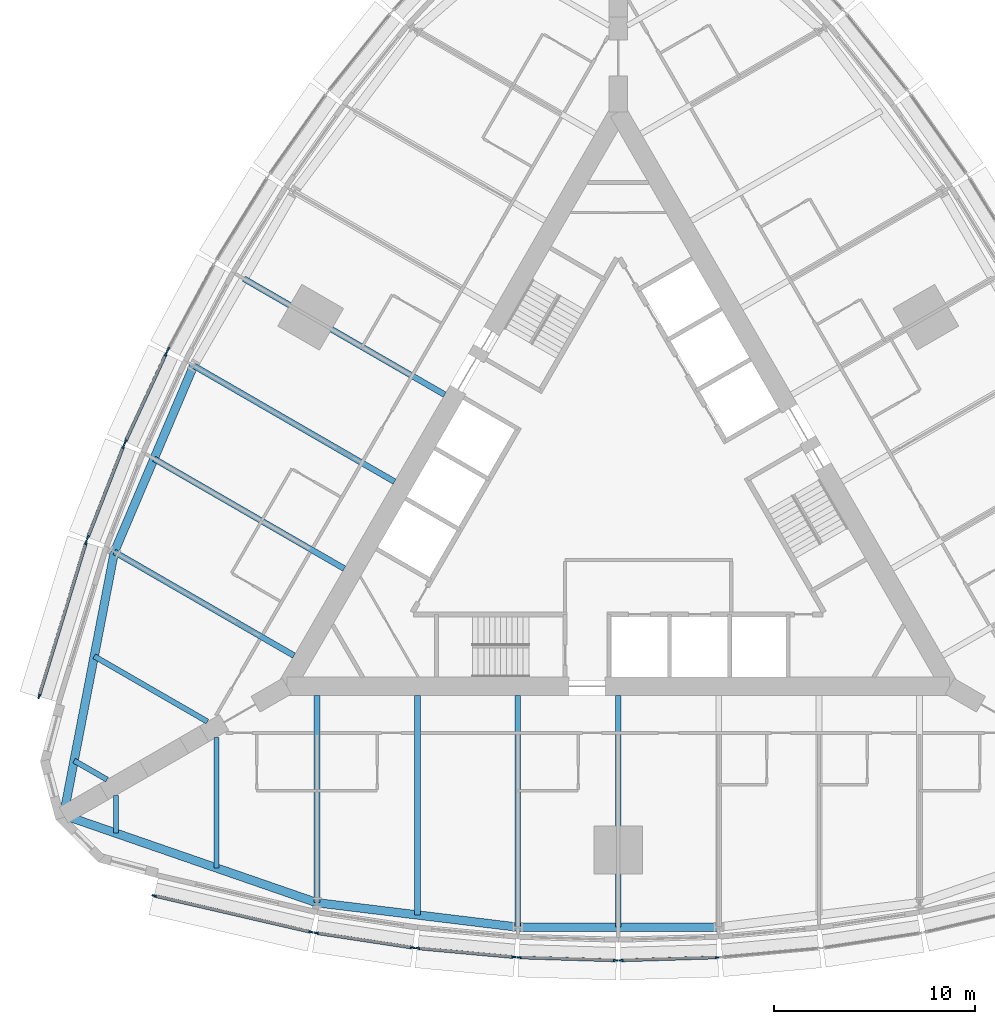
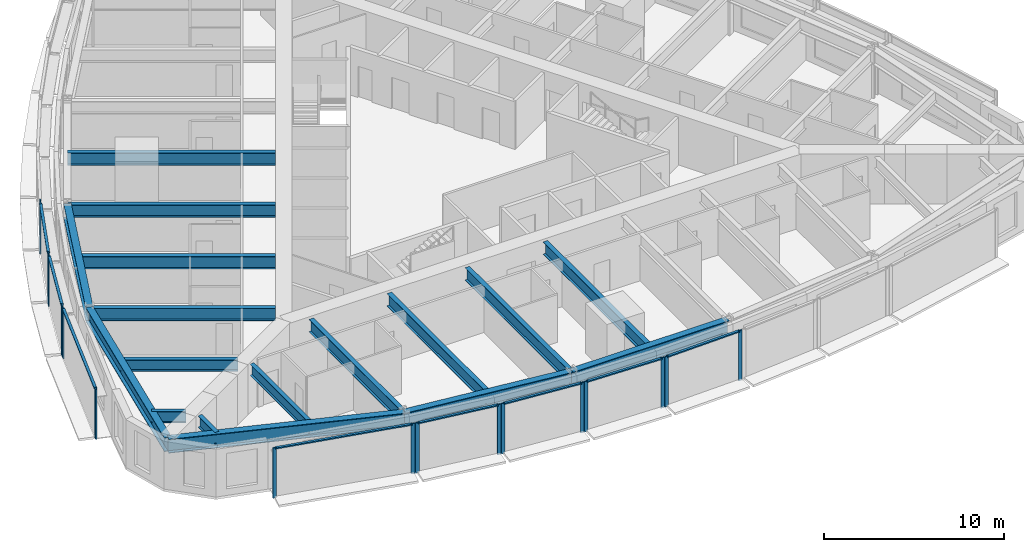
# One storey, part 2 of 14: 25 members, 17 beams, 9 elements without a shape of their own.
"""IFC4 building model written with IfcOpenShell, lengths in metres."""

from ifc_helpers import new_model, si_unit, direction, frame, origin, origin_2d, place, context, subcontext, project, spatial, rectangle, i_section, extrude, material, material_profile, profile_set, type_object, element, aggregate, save


model = new_model("IFC4")

# Units and contexts
model_context = context("Model", 3, precision=1e-05, world=origin(), true_north=direction((0.0, 1.0)))
body_context = subcontext(model_context, "Body", "Model", "MODEL_VIEW")
ifc_project = project(units=[si_unit("LENGTHUNIT", "METRE"), si_unit("AREAUNIT", "SQUARE_METRE"), si_unit("VOLUMEUNIT", "CUBIC_METRE"), si_unit("PLANEANGLEUNIT", "RADIAN"), si_unit("MASSUNIT", "GRAM", prefix="KILO")], contexts=[model_context])

# Site, building, storey
site_placement = place(None, origin())
site = spatial("IfcSite", under=ifc_project, at=site_placement, CompositionType="ELEMENT")
building_placement = place(site_placement, origin())
building = spatial("IfcBuilding", under=site, at=building_placement, Name="Trikona Tower", CompositionType="ELEMENT")
storey_placement = place(building_placement, frame((0.0, 0.0, 82.89990234375)))
storey = spatial("IfcBuildingStorey", under=building, at=storey_placement, Name="L21", CompositionType="ELEMENT", Elevation=82.89990234375)

# Curtain wall, members
ifc_material_1 = material(Name="Aluminium curtain wall system", Category="aluminium")
curtain_wall_type = type_object("IfcCurtainWallType", Name="Curtain wall DS1", PredefinedType="NOTDEFINED", material=ifc_material_1)
curtain_wall_1_placement = place(storey_placement, origin())
curtain_wall_1 = element("IfcCurtainWall", 1, at=curtain_wall_1_placement, inside=storey, type_object=curtain_wall_type, Name="Curtain wall DS1 L21", PredefinedType="NOTDEFINED")
ifc_material_2 = material(Name="Aluminium mullion, pale anodised", Category="aluminium")
ifc_material_profile_1 = material_profile(ifc_material_2, rectangle(XDim=0.080078125, YDim=0.219970703125, at=origin_2d()), Name="MUL-DS1")
ifc_profile_set_1 = profile_set([ifc_material_profile_1], Name="Aluminium mullion, pale anodised")
member_type_1 = type_object("IfcMemberType", Name="Mullion DS1 80x220", PredefinedType="MULLION", material=ifc_profile_set_1)
member_1_placement = place(storey_placement, frame((-23.10546875, -19.951904296875, 0.0), z_axis=(0.0, 0.0, 1.0), x_axis=(0.225343288756, 0.974279427173, 0.0)))
member_1 = element("IfcMember", 2, at=member_1_placement, type_object=member_type_1, Name="CW-DS1 mullion 1", PredefinedType="MULLION", context=body_context, shape_type="SweptSolid", body=[
    extrude(rectangle(XDim=0.080078125, YDim=0.219970703125, at=origin_2d()), origin(), (0.0, 0.0, 1.0), 3.400146484375),
])
member_2_placement = place(storey_placement, frame((-15.30029296875, -21.75732421875, 0.0), z_axis=(0.0, 0.0, 1.0), x_axis=(0.225343288756, 0.974279427173, 0.0)))
member_2 = element("IfcMember", 3, at=member_2_placement, type_object=member_type_1, Name="CW-DS1 mullion 2", PredefinedType="MULLION", context=body_context, shape_type="SweptSolid", body=[
    extrude(rectangle(XDim=0.080078125, YDim=0.219970703125, at=origin_2d()), origin(), (0.0, 0.0, 1.0), 3.400146484375),
])

curtain_wall_2_placement = place(storey_placement, origin())
curtain_wall_2 = element("IfcCurtainWall", 4, at=curtain_wall_2_placement, inside=storey, type_object=curtain_wall_type, Name="Curtain wall DS1 L21", PredefinedType="NOTDEFINED")
member_3_placement = place(storey_placement, frame((-15.03662109375, -21.807861328125, 0.0), z_axis=(0.0, 0.0, 1.0), x_axis=(0.150437693845, 0.988619492156, 0.0)))
member_3 = element("IfcMember", 5, at=member_3_placement, type_object=member_type_1, Name="CW-DS1 mullion 1", PredefinedType="MULLION", context=body_context, shape_type="SweptSolid", body=[
    extrude(rectangle(XDim=0.080078125, YDim=0.219970703125, at=origin_2d()), origin(), (0.0, 0.0, 1.0), 3.400146484375),
])
member_4_placement = place(storey_placement, frame((-10.234130859375, -22.53857421875, 0.0), z_axis=(0.0, 0.0, 1.0), x_axis=(0.150437693845, 0.988619492156, 0.0)))
member_4 = element("IfcMember", 6, at=member_4_placement, type_object=member_type_1, Name="CW-DS1 mullion 2", PredefinedType="MULLION", context=body_context, shape_type="SweptSolid", body=[
    extrude(rectangle(XDim=0.080078125, YDim=0.219970703125, at=origin_2d()), origin(), (0.0, 0.0, 1.0), 3.400146484375),
])

curtain_wall_3_placement = place(storey_placement, origin())
curtain_wall_3 = element("IfcCurtainWall", 7, at=curtain_wall_3_placement, inside=storey, type_object=curtain_wall_type, Name="Curtain wall DS1 L21", PredefinedType="NOTDEFINED")
member_5_placement = place(storey_placement, frame((-9.982177734375, -22.5693359375, 0.0), z_axis=(0.0, 0.0, 1.0), x_axis=(0.090923932737, 0.995857840485, 0.0)))
member_5 = element("IfcMember", 8, at=member_5_placement, type_object=member_type_1, Name="CW-DS1 mullion 1", PredefinedType="MULLION", context=body_context, shape_type="SweptSolid", body=[
    extrude(rectangle(XDim=0.080078125, YDim=0.219970703125, at=origin_2d()), origin(), (0.0, 0.0, 1.0), 3.400146484375),
])
member_6_placement = place(storey_placement, frame((-5.181396484375, -23.007568359375, 0.0), z_axis=(0.0, 0.0, 1.0), x_axis=(0.090923932737, 0.995857840485, 0.0)))
member_6 = element("IfcMember", 9, at=member_6_placement, type_object=member_type_1, Name="CW-DS1 mullion 2", PredefinedType="MULLION", context=body_context, shape_type="SweptSolid", body=[
    extrude(rectangle(XDim=0.080078125, YDim=0.219970703125, at=origin_2d()), origin(), (0.0, 0.0, 1.0), 3.400146484375),
])

curtain_wall_4_placement = place(storey_placement, origin())
curtain_wall_4 = element("IfcCurtainWall", 10, at=curtain_wall_4_placement, inside=storey, type_object=curtain_wall_type, Name="Curtain wall DS1 L21", PredefinedType="NOTDEFINED")
member_7_placement = place(storey_placement, frame((-4.927490234375, -23.02294921875, 0.0), z_axis=(0.0, 0.0, 1.0), x_axis=(0.030436711692, 0.999536695965, 0.0)))
member_7 = element("IfcMember", 11, at=member_7_placement, type_object=member_type_1, Name="CW-DS1 mullion 1", PredefinedType="MULLION", context=body_context, shape_type="SweptSolid", body=[
    extrude(rectangle(XDim=0.080078125, YDim=0.219970703125, at=origin_2d()), origin(), (0.0, 0.0, 1.0), 3.400146484375),
])
member_8_placement = place(storey_placement, frame((-0.12744140625, -23.169189453125, 0.0), z_axis=(0.0, 0.0, 1.0), x_axis=(0.030436711692, 0.999536695965, 0.0)))
member_8 = element("IfcMember", 12, at=member_8_placement, type_object=member_type_1, Name="CW-DS1 mullion 2", PredefinedType="MULLION", context=body_context, shape_type="SweptSolid", body=[
    extrude(rectangle(XDim=0.080078125, YDim=0.219970703125, at=origin_2d()), origin(), (0.0, 0.0, 1.0), 3.400146484375),
])

curtain_wall_5_placement = place(storey_placement, origin())
curtain_wall_5 = element("IfcCurtainWall", 13, at=curtain_wall_5_placement, inside=storey, type_object=curtain_wall_type, Name="Curtain wall DS1 L21", PredefinedType="NOTDEFINED")
member_9_placement = place(storey_placement, frame((0.12744140625, -23.169189453125, 0.0), z_axis=(0.0, 0.0, 1.0), x_axis=(-0.030436711692, 0.999536695965, 0.0)))
member_9 = element("IfcMember", 14, at=member_9_placement, type_object=member_type_1, Name="CW-DS1 mullion 1", PredefinedType="MULLION", context=body_context, shape_type="SweptSolid", body=[
    extrude(rectangle(XDim=0.080078125, YDim=0.219970703125, at=origin_2d()), origin(), (0.0, 0.0, 1.0), 3.400146484375),
])
member_10_placement = place(storey_placement, frame((4.927490234375, -23.02294921875, 0.0), z_axis=(0.0, 0.0, 1.0), x_axis=(-0.030436711692, 0.999536695965, 0.0)))
member_10 = element("IfcMember", 15, at=member_10_placement, type_object=member_type_1, Name="CW-DS1 mullion 2", PredefinedType="MULLION", context=body_context, shape_type="SweptSolid", body=[
    extrude(rectangle(XDim=0.080078125, YDim=0.219970703125, at=origin_2d()), origin(), (0.0, 0.0, 1.0), 3.400146484375),
])

# Curtain wall, member
curtain_wall_6_placement = place(storey_placement, origin())
curtain_wall_6 = element("IfcCurtainWall", 16, at=curtain_wall_6_placement, inside=storey, type_object=curtain_wall_type, Name="Curtain wall DS1 L21", PredefinedType="NOTDEFINED")
member_11_placement = place(storey_placement, frame((-22.402099609375, 7.244140625, 0.0), z_axis=(0.0, 0.0, 1.0), x_axis=(0.880843080975, -0.473408350896, 0.0)))
member_11 = element("IfcMember", 17, at=member_11_placement, type_object=member_type_1, Name="CW-DS1 mullion 2", PredefinedType="MULLION", context=body_context, shape_type="SweptSolid", body=[
    extrude(rectangle(XDim=0.080078125, YDim=0.219970703125, at=origin_2d()), origin(), (0.0, 0.0, 1.0), 3.400146484375),
])
aggregate(curtain_wall_6, [member_11])

# Curtain wall, members
curtain_wall_7_placement = place(storey_placement, origin())
curtain_wall_7 = element("IfcCurtainWall", 18, at=curtain_wall_7_placement, inside=storey, type_object=curtain_wall_type, Name="Curtain wall DS1 L21", PredefinedType="NOTDEFINED")
member_12_placement = place(storey_placement, frame((-22.515869140625, 7.0166015625, 0.0), z_axis=(0.0, 0.0, 1.0), x_axis=(0.907898459992, -0.419190155352, 0.0)))
member_12 = element("IfcMember", 19, at=member_12_placement, type_object=member_type_1, Name="CW-DS1 mullion 1", PredefinedType="MULLION", context=body_context, shape_type="SweptSolid", body=[
    extrude(rectangle(XDim=0.080078125, YDim=0.219970703125, at=origin_2d()), origin(), (0.0, 0.0, 1.0), 3.400146484375),
])
member_13_placement = place(storey_placement, frame((-24.53662109375, 2.6396484375, 0.0), z_axis=(0.0, 0.0, 1.0), x_axis=(0.907898459992, -0.419190155352, 0.0)))
member_13 = element("IfcMember", 20, at=member_13_placement, type_object=member_type_1, Name="CW-DS1 mullion 2", PredefinedType="MULLION", context=body_context, shape_type="SweptSolid", body=[
    extrude(rectangle(XDim=0.080078125, YDim=0.219970703125, at=origin_2d()), origin(), (0.0, 0.0, 1.0), 3.400146484375),
])

curtain_wall_8_placement = place(storey_placement, origin())
curtain_wall_8 = element("IfcCurtainWall", 21, at=curtain_wall_8_placement, inside=storey, type_object=curtain_wall_type, Name="Curtain wall DS1 L21", PredefinedType="NOTDEFINED")
member_14_placement = place(storey_placement, frame((-24.63623046875, 2.40625, 0.0), z_axis=(0.0, 0.0, 1.0), x_axis=(0.931395989443, -0.36400756977, 0.0)))
member_14 = element("IfcMember", 22, at=member_14_placement, type_object=member_type_1, Name="CW-DS1 mullion 1", PredefinedType="MULLION", context=body_context, shape_type="SweptSolid", body=[
    extrude(rectangle(XDim=0.080078125, YDim=0.219970703125, at=origin_2d()), origin(), (0.0, 0.0, 1.0), 3.400146484375),
])
member_15_placement = place(storey_placement, frame((-26.404296875, -2.1181640625, 0.0), z_axis=(0.0, 0.0, 1.0), x_axis=(0.931395989443, -0.36400756977, 0.0)))
member_15 = element("IfcMember", 23, at=member_15_placement, type_object=member_type_1, Name="CW-DS1 mullion 2", PredefinedType="MULLION", context=body_context, shape_type="SweptSolid", body=[
    extrude(rectangle(XDim=0.080078125, YDim=0.219970703125, at=origin_2d()), origin(), (0.0, 0.0, 1.0), 3.400146484375),
])

curtain_wall_9_placement = place(storey_placement, origin())
curtain_wall_9 = element("IfcCurtainWall", 24, at=curtain_wall_9_placement, inside=storey, type_object=curtain_wall_type, Name="Curtain wall DS1 L21", PredefinedType="NOTDEFINED")
member_16_placement = place(storey_placement, frame((-26.492431640625, -2.371826171875, 0.0), z_axis=(0.0, 0.0, 1.0), x_axis=(0.956423115383, -0.291984287868, 0.0)))
member_16 = element("IfcMember", 25, at=member_16_placement, type_object=member_type_1, Name="CW-DS1 mullion 1", PredefinedType="MULLION", context=body_context, shape_type="SweptSolid", body=[
    extrude(rectangle(XDim=0.080078125, YDim=0.219970703125, at=origin_2d()), origin(), (0.0, 0.0, 1.0), 3.400146484375),
])
member_17_placement = place(storey_placement, frame((-28.83154296875, -10.033935546875, 0.0), z_axis=(0.0, 0.0, 1.0), x_axis=(0.956423115383, -0.291984287868, 0.0)))
member_17 = element("IfcMember", 26, at=member_17_placement, type_object=member_type_1, Name="CW-DS1 mullion 2", PredefinedType="MULLION", context=body_context, shape_type="SweptSolid", body=[
    extrude(rectangle(XDim=0.080078125, YDim=0.219970703125, at=origin_2d()), origin(), (0.0, 0.0, 1.0), 3.400146484375),
])

# Beams
ifc_material_3 = material(Name="Steel ASTM A992 Grade 50", Category="steel")
ifc_material_profile_2 = material_profile(ifc_material_3, i_section(OverallWidth=0.2666015625, OverallDepth=0.76953125, WebThickness=0.015625, FlangeThickness=0.025390625, at=origin_2d()), Name="W30X132")
ifc_profile_set_2 = profile_set([ifc_material_profile_2], Name="Steel ASTM A992 Grade 50")
beam_type_1 = type_object("IfcBeamType", Name="Steel beam W30x132 (wedge)", PredefinedType="BEAM", material=ifc_profile_set_2)
beam_1_placement = place(storey_placement, frame((-25.0, -14.953369140625, 2.850341796875), z_axis=(0.0, -1.0, 0.0), x_axis=(1.0, 0.0, 0.0)))
element("IfcBeam", 27, at=beam_1_placement, inside=storey, type_object=beam_type_1, Name="Floor beam L22 F1 u-25", PredefinedType="BEAM", context=body_context, shape_type="SweptSolid", body=[
    extrude(i_section(OverallWidth=0.2666015625, OverallDepth=0.76953125, WebThickness=0.015625, FlangeThickness=0.025390625, at=origin_2d()), origin(), (0.0, 0.0, 1.0), 1.890380859375),
])
for number, where, z_axis, x_axis, name in (
    (28, (-20.0, -12.066650390625, 2.850341796875), (0.0, -1.0, 0.0), (1.0, 0.0, 0.0), "Floor beam L22 F1 u-20"),
    (29, (-20.449951171875, -11.287109375, 2.850341796875), (-0.866022504693, 0.50000502134, 0.0), (-0.50000502134, -0.866022504693, 0.0), "Floor beam L22 F3 u20"),
):
    element("IfcBeam", number, at=place(storey_placement, frame(where, z_axis=z_axis, x_axis=x_axis)), inside=storey, type_object=beam_type_1, Name=name, PredefinedType="BEAM", context=body_context, shape_type="SweptSolid", body=[
        extrude(i_section(OverallWidth=0.2666015625, OverallDepth=0.76953125, WebThickness=0.015625, FlangeThickness=0.025390625, at=origin_2d()), origin(), (0.0, 0.0, 1.0), 6.5068359375),
    ])
beam_2_placement = place(storey_placement, frame((-25.449951171875, -14.173828125, 2.850341796875), z_axis=(-0.866065156741, 0.499931139538, 0.0), x_axis=(-0.499931139538, -0.866065156741, 0.0)))
element("IfcBeam", 30, at=beam_2_placement, inside=storey, type_object=beam_type_1, Name="Floor beam L22 F3 u25", PredefinedType="BEAM", context=body_context, shape_type="SweptSolid", body=[
    extrude(i_section(OverallWidth=0.2666015625, OverallDepth=0.76953125, WebThickness=0.015625, FlangeThickness=0.025390625, at=origin_2d()), origin(), (0.0, 0.0, 1.0), 1.890380859375),
])
ifc_material_4 = material(Name="Steel ASTM A992 Grade 50", Category="steel")
ifc_material_profile_3 = material_profile(ifc_material_4, i_section(OverallWidth=0.2919921875, OverallDepth=0.845703125, WebThickness=0.015380859375, FlangeThickness=0.0244140625, at=origin_2d()), Name="W33X141")
ifc_profile_set_3 = profile_set([ifc_material_profile_3], Name="Steel ASTM A992 Grade 50")
beam_type_2 = type_object("IfcBeamType", Name="Steel beam W33x141 (radial typ)", PredefinedType="BEAM", material=ifc_profile_set_3)
beam_3_placement = place(storey_placement, frame((-15.0, -9.976318359375, 2.812255859375), z_axis=(0.0, -1.0, 0.0), x_axis=(1.0, 0.0, 0.0)))
element("IfcBeam", 31, at=beam_3_placement, inside=storey, type_object=beam_type_2, Name="Floor beam L22 F1 u-15", PredefinedType="BEAM", context=body_context, shape_type="SweptSolid", body=[
    extrude(i_section(OverallWidth=0.2919921875, OverallDepth=0.845703125, WebThickness=0.015380859375, FlangeThickness=0.0244140625, at=origin_2d()), origin(), (0.0, 0.0, 1.0), 10.32666015625),
])
beam_4_placement = place(storey_placement, frame((-10.0, -9.976318359375, 2.812255859375), z_axis=(0.0, -1.0, 0.0), x_axis=(1.0, 0.0, 0.0)))
element("IfcBeam", 32, at=beam_4_placement, inside=storey, type_object=beam_type_2, Name="Floor beam L22 F1 u-10", PredefinedType="BEAM", context=body_context, shape_type="SweptSolid", body=[
    extrude(i_section(OverallWidth=0.2919921875, OverallDepth=0.845703125, WebThickness=0.015380859375, FlangeThickness=0.0244140625, at=origin_2d()), origin(), (0.0, 0.0, 1.0), 10.935302734375),
])
for number, where, z_axis, x_axis, name in (
    (33, (-5.0, -9.976318359375, 2.812255859375), (0.0, -1.0, 0.0), (1.0, 0.0, 0.0), "Floor beam L22 F1 u-5"),
    (34, (0.0, -9.976318359375, 2.812255859375), (0.0, -1.0, 0.0), (1.0, 0.0, 0.0), "Floor beam L22 F1 u0"),
    (35, (-8.6396484375, 4.988037109375, 2.812255859375), (-0.866020765707, 0.500008033299, 0.0), (-0.500008033299, -0.866020765707, 0.0), "Floor beam L22 F3 u0"),
    (36, (-11.1396484375, 0.657958984375, 2.812255859375), (-0.866020765707, 0.500008033299, 0.0), (-0.500008033299, -0.866020765707, 0.0), "Floor beam L22 F3 u5"),
):
    element("IfcBeam", number, at=place(storey_placement, frame(where, z_axis=z_axis, x_axis=x_axis)), inside=storey, type_object=beam_type_2, Name=name, PredefinedType="BEAM", context=body_context, shape_type="SweptSolid", body=[
        extrude(i_section(OverallWidth=0.2919921875, OverallDepth=0.845703125, WebThickness=0.015380859375, FlangeThickness=0.0244140625, at=origin_2d()), origin(), (0.0, 0.0, 1.0), 11.544189453125),
    ])
beam_5_placement = place(storey_placement, frame((-13.6396484375, -3.672119140625, 2.812255859375), z_axis=(-0.866025348605, 0.500000095573, 0.0), x_axis=(-0.500000095573, -0.866025348605, 0.0)))
element("IfcBeam", 37, at=beam_5_placement, inside=storey, type_object=beam_type_2, Name="Floor beam L22 F3 u10", PredefinedType="BEAM", context=body_context, shape_type="SweptSolid", body=[
    extrude(i_section(OverallWidth=0.2919921875, OverallDepth=0.845703125, WebThickness=0.015380859375, FlangeThickness=0.0244140625, at=origin_2d()), origin(), (0.0, 0.0, 1.0), 10.935546875),
])
beam_6_placement = place(storey_placement, frame((-16.1396484375, -8.002197265625, 2.812255859375), z_axis=(-0.866030471684, 0.499991222037, 0.0), x_axis=(-0.499991222037, -0.866030471684, 0.0)))
element("IfcBeam", 38, at=beam_6_placement, inside=storey, type_object=beam_type_2, Name="Floor beam L22 F3 u15", PredefinedType="BEAM", context=body_context, shape_type="SweptSolid", body=[
    extrude(i_section(OverallWidth=0.2919921875, OverallDepth=0.845703125, WebThickness=0.015380859375, FlangeThickness=0.0244140625, at=origin_2d()), origin(), (0.0, 0.0, 1.0), 10.326904296875),
])
ifc_material_5 = material(Name="Steel ASTM A992 Grade 50", Category="steel")
ifc_material_profile_4 = material_profile(ifc_material_5, i_section(OverallWidth=0.424072265625, OverallDepth=0.947509765625, WebThickness=0.02392578125, FlangeThickness=0.042724609375, at=origin_2d()), Name="W36X302")
ifc_profile_set_4 = profile_set([ifc_material_profile_4], Name="Steel ASTM A992 Grade 50")
beam_type_3 = type_object("IfcBeamType", Name="Steel beam W36x302 (spandrel)", PredefinedType="SPANDREL", material=ifc_profile_set_4)
beam_7_placement = place(storey_placement, frame((-27.6103515625, -15.94091796875, 2.761474609375), z_axis=(0.945056965739, -0.326905692071, 0.0), x_axis=(0.326905692071, 0.945056965739, 0.0)))
element("IfcBeam", 39, at=beam_7_placement, inside=storey, type_object=beam_type_3, Name="Spandrel beam L22 F1-1", PredefinedType="SPANDREL", context=body_context, shape_type="SweptSolid", body=[
    extrude(i_section(OverallWidth=0.424072265625, OverallDepth=0.947509765625, WebThickness=0.02392578125, FlangeThickness=0.042724609375, at=origin_2d()), origin(), (0.0, 0.0, 1.0), 13.343505859375),
])
beam_8_placement = place(storey_placement, frame((-15.0, -20.302978515625, 2.761474609375), z_axis=(0.99266951126, -0.120860421207, 0.0), x_axis=(0.120860421207, 0.99266951126, 0.0)))
element("IfcBeam", 40, at=beam_8_placement, inside=storey, type_object=beam_type_3, Name="Spandrel beam L22 F1-2", PredefinedType="SPANDREL", context=body_context, shape_type="SweptSolid", body=[
    extrude(i_section(OverallWidth=0.424072265625, OverallDepth=0.947509765625, WebThickness=0.02392578125, FlangeThickness=0.042724609375, at=origin_2d()), origin(), (0.0, 0.0, 1.0), 10.07373046875),
])
beam_9_placement = place(storey_placement, frame((-5.0, -21.5205078125, 2.761474609375), z_axis=(1.0, 0.0, 0.0), x_axis=(0.0, 1.0, 0.0)))
element("IfcBeam", 41, at=beam_9_placement, inside=storey, type_object=beam_type_3, Name="Spandrel beam L22 F1-3", PredefinedType="SPANDREL", context=body_context, shape_type="SweptSolid", body=[
    extrude(i_section(OverallWidth=0.424072265625, OverallDepth=0.947509765625, WebThickness=0.02392578125, FlangeThickness=0.042724609375, at=origin_2d()), origin(), (0.0, 0.0, 1.0), 10.0),
])
beam_10_placement = place(storey_placement, frame((-21.13720703125, 6.43017578125, 2.761474609375), z_axis=(-0.391683514847, -0.920100007715, 0.0), x_axis=(0.920100007715, -0.391683514847, 0.0)))
element("IfcBeam", 42, at=beam_10_placement, inside=storey, type_object=beam_type_3, Name="Spandrel beam L22 F3-4", PredefinedType="SPANDREL", context=body_context, shape_type="SweptSolid", body=[
    extrude(i_section(OverallWidth=0.424072265625, OverallDepth=0.947509765625, WebThickness=0.02392578125, FlangeThickness=0.042724609375, at=origin_2d()), origin(), (0.0, 0.0, 1.0), 10.073974609375),
])
beam_11_placement = place(storey_placement, frame((-25.0830078125, -2.8388671875, 2.761474609375), z_axis=(-0.189405184036, -0.981899015307, 0.0), x_axis=(0.981899015307, -0.189405184036, 0.0)))
element("IfcBeam", 43, at=beam_11_placement, inside=storey, type_object=beam_type_3, Name="Spandrel beam L22 F3-5", PredefinedType="SPANDREL", context=body_context, shape_type="SweptSolid", body=[
    extrude(i_section(OverallWidth=0.424072265625, OverallDepth=0.947509765625, WebThickness=0.02392578125, FlangeThickness=0.042724609375, at=origin_2d()), origin(), (0.0, 0.0, 1.0), 13.343505859375),
])

# Member
ifc_material_6 = material(Name="Aluminium transom, pale anodised", Category="aluminium")
ifc_material_profile_5 = material_profile(ifc_material_6, rectangle(XDim=0.159912109375, YDim=0.080078125, at=origin_2d()), Name="TRN-DS1")
ifc_profile_set_5 = profile_set([ifc_material_profile_5], Name="Aluminium transom, pale anodised")
member_type_2 = type_object("IfcMemberType", Name="Transom DS1 80x160", PredefinedType="USERDEFINED", material=ifc_profile_set_5)
member_18_placement = place(storey_placement, frame((-23.06640625, -19.9609375, 3.360107421875), z_axis=(0.974275371842, -0.225360821398, 0.0), x_axis=(0.225360821398, 0.974275371842, 0.0)))
member_18 = element("IfcMember", 44, at=member_18_placement, type_object=member_type_2, Name="CW-DS1 transom 1.1", ObjectType="TRANSOM", PredefinedType="USERDEFINED", context=body_context, shape_type="SweptSolid", body=[
    extrude(rectangle(XDim=0.159912109375, YDim=0.080078125, at=origin_2d()), origin(), (0.0, 0.0, 1.0), 7.93115234375),
])

aggregate(curtain_wall_1, [member_1, member_2, member_18])

member_19_placement = place(storey_placement, frame((-14.9970703125, -21.813720703125, 3.360107421875), z_axis=(0.988619663412, -0.150436568413, 0.0), x_axis=(0.150436568413, 0.988619663412, 0.0)))
member_19 = element("IfcMember", 45, at=member_19_placement, type_object=member_type_2, Name="CW-DS1 transom 1.1", ObjectType="TRANSOM", PredefinedType="USERDEFINED", context=body_context, shape_type="SweptSolid", body=[
    extrude(rectangle(XDim=0.159912109375, YDim=0.080078125, at=origin_2d()), origin(), (0.0, 0.0, 1.0), 4.77783203125),
])

aggregate(curtain_wall_2, [member_3, member_4, member_19])

member_20_placement = place(storey_placement, frame((-9.9423828125, -22.57275390625, 3.360107421875), z_axis=(0.995855977008, -0.090944340438, 0.0), x_axis=(0.090944340438, 0.995855977008, 0.0)))
member_20 = element("IfcMember", 46, at=member_20_placement, type_object=member_type_2, Name="CW-DS1 transom 1.1", ObjectType="TRANSOM", PredefinedType="USERDEFINED", context=body_context, shape_type="SweptSolid", body=[
    extrude(rectangle(XDim=0.159912109375, YDim=0.080078125, at=origin_2d()), origin(), (0.0, 0.0, 1.0), 4.74072265625),
])

aggregate(curtain_wall_3, [member_5, member_6, member_20])

member_21_placement = place(storey_placement, frame((-4.887451171875, -23.024169921875, 3.360107421875), z_axis=(0.999536232946, -0.030451913371, 0.0), x_axis=(0.030451913371, 0.999536232946, 0.0)))
member_21 = element("IfcMember", 47, at=member_21_placement, type_object=member_type_2, Name="CW-DS1 transom 1.1", ObjectType="TRANSOM", PredefinedType="USERDEFINED", context=body_context, shape_type="SweptSolid", body=[
    extrude(rectangle(XDim=0.159912109375, YDim=0.080078125, at=origin_2d()), origin(), (0.0, 0.0, 1.0), 4.72216796875),
])

aggregate(curtain_wall_4, [member_7, member_8, member_21])

member_22_placement = place(storey_placement, frame((0.16748046875, -23.16796875, 3.360107421875), z_axis=(0.999536232946, 0.030451913371, 0.0), x_axis=(-0.030451913371, 0.999536232946, 0.0)))
member_22 = element("IfcMember", 48, at=member_22_placement, type_object=member_type_2, Name="CW-DS1 transom 1.1", ObjectType="TRANSOM", PredefinedType="USERDEFINED", context=body_context, shape_type="SweptSolid", body=[
    extrude(rectangle(XDim=0.159912109375, YDim=0.080078125, at=origin_2d()), origin(), (0.0, 0.0, 1.0), 4.72216796875),
])

aggregate(curtain_wall_5, [member_9, member_10, member_22])

member_23_placement = place(storey_placement, frame((-22.53271484375, 6.980224609375, 3.360107421875), z_axis=(-0.419188800665, -0.90789908547, 0.0), x_axis=(0.90789908547, -0.419188800665, 0.0)))
member_23 = element("IfcMember", 49, at=member_23_placement, type_object=member_type_2, Name="CW-DS1 transom 1.1", ObjectType="TRANSOM", PredefinedType="USERDEFINED", context=body_context, shape_type="SweptSolid", body=[
    extrude(rectangle(XDim=0.159912109375, YDim=0.080078125, at=origin_2d()), origin(), (0.0, 0.0, 1.0), 4.74072265625),
])

aggregate(curtain_wall_7, [member_12, member_13, member_23])

member_24_placement = place(storey_placement, frame((-24.650634765625, 2.368896484375, 3.360107421875), z_axis=(-0.364048647668, -0.931379934362, 0.0), x_axis=(0.931379934362, -0.364048647668, 0.0)))
member_24 = element("IfcMember", 50, at=member_24_placement, type_object=member_type_2, Name="CW-DS1 transom 1.1", ObjectType="TRANSOM", PredefinedType="USERDEFINED", context=body_context, shape_type="SweptSolid", body=[
    extrude(rectangle(XDim=0.159912109375, YDim=0.080078125, at=origin_2d()), origin(), (0.0, 0.0, 1.0), 4.777587890625),
])

aggregate(curtain_wall_8, [member_14, member_15, member_24])

member_25_placement = place(storey_placement, frame((-26.504150390625, -2.409912109375, 3.360107421875), z_axis=(-0.291967490203, -0.956428243343, 0.0), x_axis=(0.956428243343, -0.291967490203, 0.0)))
member_25 = element("IfcMember", 51, at=member_25_placement, type_object=member_type_2, Name="CW-DS1 transom 1.1", ObjectType="TRANSOM", PredefinedType="USERDEFINED", context=body_context, shape_type="SweptSolid", body=[
    extrude(rectangle(XDim=0.159912109375, YDim=0.080078125, at=origin_2d()), origin(), (0.0, 0.0, 1.0), 7.93115234375),
])

aggregate(curtain_wall_9, [member_16, member_17, member_25])

save(model, "model.ifc")
